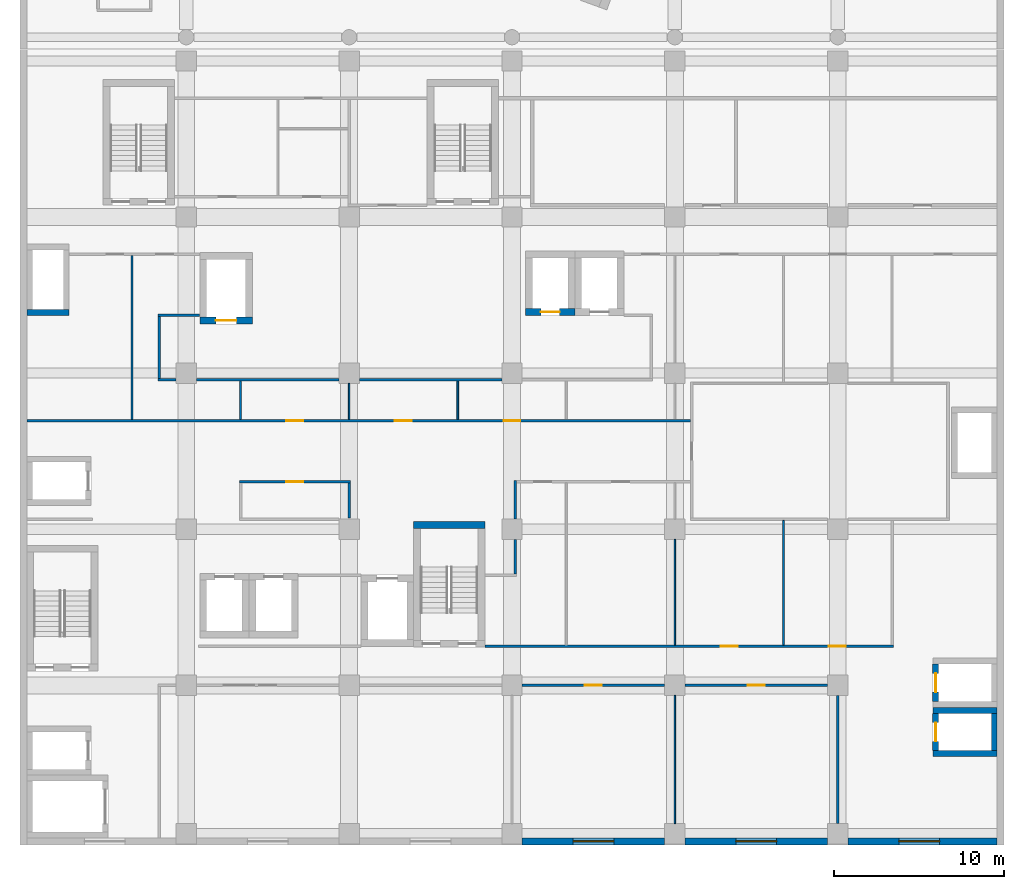
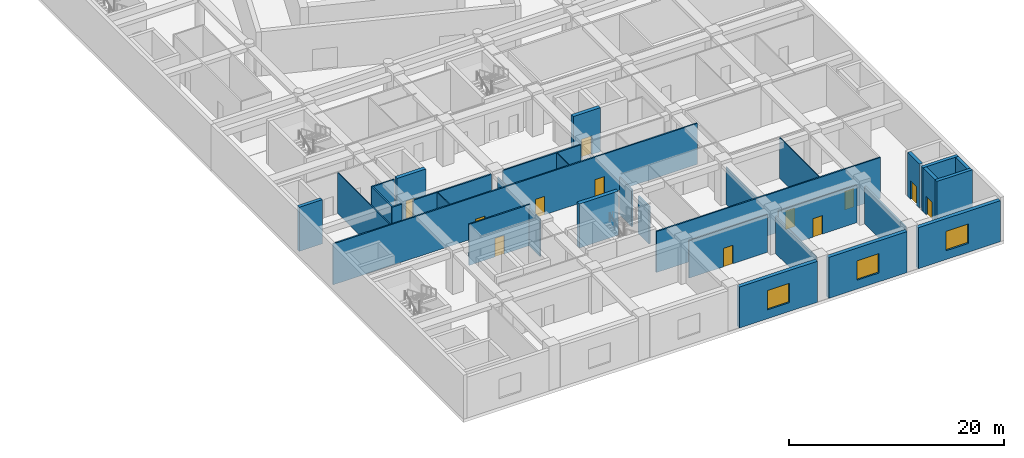
# One storey, part 10 of 31: 33 walls, 12 doors, 3 windows, 15 openings.
"""IFC4 building model written with IfcOpenShell, lengths in metres."""

from ifc_helpers import new_model, si_unit, direction, frame, frame_2d, origin, place, context, subcontext, project, spatial, rectangle, extrude, material, layer, layer_set, layer_usage, type_object, element, fill, save


model = new_model("IFC4")

# Units and contexts
model_context = context("Model", 3, precision=1e-05, world=origin(), true_north=direction((0.0, 1.0)))
body_context = subcontext(model_context, "Body", "Model", "MODEL_VIEW")
ifc_project = project(units=[si_unit("LENGTHUNIT", "METRE"), si_unit("AREAUNIT", "SQUARE_METRE"), si_unit("VOLUMEUNIT", "CUBIC_METRE"), si_unit("PLANEANGLEUNIT", "RADIAN"), si_unit("MASSUNIT", "GRAM", prefix="KILO")], contexts=[model_context])

# Site, building, storey
site_placement = place(None, origin())
site = spatial("IfcSite", under=ifc_project, at=site_placement, CompositionType="ELEMENT")
building_placement = place(site_placement, origin())
building = spatial("IfcBuilding", under=site, at=building_placement, Name="Nzadi Deep Aquarium and Research Tower", CompositionType="ELEMENT")
storey_placement = place(building_placement, frame((0.0, 0.0, 21.699951171875)))
storey = spatial("IfcBuildingStorey", under=building, at=storey_placement, Name="L03", CompositionType="ELEMENT", Elevation=21.699951171875)

# Walls
ifc_material_1 = material(Name="Blockwork masonry", Category="masonry")
ifc_layer_1 = layer(ifc_material_1, 0.10009765625)
ifc_layer_set_1 = layer_set([ifc_layer_1], Name="Blockwork masonry")
wall_type_1 = type_object("IfcWallType", Name="Partition 100 EI 30", PredefinedType="PARTITIONING", material=ifc_layer_set_1)
wall_1_placement = place(storey_placement, frame((6.39990234375, 24.875, 0.0), z_axis=(0.0, 0.0, 1.0), x_axis=(0.0, 1.0, 0.0)))
element("IfcWall", 1, at=wall_1_placement, inside=storey, type_object=wall_type_1, Name="W-Z1-L03-P004", PredefinedType="PARTITIONING", context=body_context, shape_type="SweptSolid", body=[
    extrude(rectangle(XDim=9.64990234375, YDim=0.10009765625, at=frame_2d((4.824951171875, 0.0))), origin(), (0.0, 0.0, 1.0), 4.650146484375),
])
for number, where, z_axis, x_axis, name in (
    (2, (12.800048828125, 24.875, 0.0), (0.0, 0.0, 1.0), (0.0, 1.0, 0.0), "W-Z1-L03-P018"),
    (3, (25.60009765625, 24.875, 0.0), (0.0, 0.0, 1.0), (0.0, 1.0, 0.0), "W-Z1-L03-P028"),
):
    element("IfcWall", number, at=place(storey_placement, frame(where, z_axis=z_axis, x_axis=x_axis)), inside=storey, type_object=wall_type_1, Name=name, PredefinedType="PARTITIONING", context=body_context, shape_type="SweptSolid", body=[
        extrude(rectangle(XDim=2.25, YDim=0.10009765625, at=frame_2d((1.125, 0.0))), origin(), (0.0, 0.0, 1.0), 4.650146484375),
    ])
wall_2_placement = place(storey_placement, frame((44.800048828125, 11.574951171875, 0.0), z_axis=(0.0, 0.0, 1.0), x_axis=(0.0, 1.0, 0.0)))
element("IfcWall", 4, at=wall_2_placement, inside=storey, type_object=wall_type_1, Name="W-Z1-L03-P057", PredefinedType="PARTITIONING", context=body_context, shape_type="SweptSolid", body=[
    extrude(rectangle(XDim=7.35009765625, YDim=0.10009765625, at=frame_2d((3.675048828125, 0.0))), origin(), (0.0, 0.0, 1.0), 4.650146484375),
])
ifc_material_2 = material(Name="Blockwork masonry", Category="masonry")
ifc_layer_2 = layer(ifc_material_2, 0.10009765625)
ifc_layer_set_2 = layer_set([ifc_layer_2], Name="Blockwork masonry")
wall_type_2 = type_object("IfcWallType", Name="Partition 100 EI 30, 4.25 m high", PredefinedType="PARTITIONING", material=ifc_layer_set_2)
wall_3_placement = place(storey_placement, frame((19.199951171875, 24.875, 0.0), z_axis=(0.0, 0.0, 1.0), x_axis=(0.0, 1.0, 0.0)))
element("IfcWall", 5, at=wall_3_placement, inside=storey, type_object=wall_type_2, Name="W-Z1-L03-P025", PredefinedType="PARTITIONING", context=body_context, shape_type="SweptSolid", body=[
    extrude(rectangle(XDim=2.125, YDim=0.10009765625, at=frame_2d((1.0625, 0.0))), origin(), (0.0, 0.0, 1.0), 4.25),
])
wall_4_placement = place(storey_placement, frame((38.39990234375, 1.050048828125, 0.0), z_axis=(0.0, 0.0, 1.0), x_axis=(0.0, 1.0, 0.0)))
element("IfcWall", 6, at=wall_4_placement, inside=storey, type_object=wall_type_2, Name="W-Z1-L03-P046", PredefinedType="PARTITIONING", context=body_context, shape_type="SweptSolid", body=[
    extrude(rectangle(XDim=7.550048828125, YDim=0.10009765625, at=frame_2d((3.77490234375, 0.0))), origin(), (0.0, 0.0, 1.0), 4.25),
])
wall_5_placement = place(storey_placement, frame((38.39990234375, 11.574951171875, 0.0), z_axis=(0.0, 0.0, 1.0), x_axis=(0.0, 1.0, 0.0)))
element("IfcWall", 7, at=wall_5_placement, inside=storey, type_object=wall_type_2, Name="W-Z1-L03-P047", PredefinedType="PARTITIONING", context=body_context, shape_type="SweptSolid", body=[
    extrude(rectangle(XDim=6.22509765625, YDim=0.10009765625, at=frame_2d((3.112548828125, 0.0))), origin(), (0.0, 0.0, 1.0), 4.25),
])

# Wall, openings, doors
ifc_material_3 = material(Name="Blockwork masonry", Category="masonry")
ifc_layer_3 = layer(ifc_material_3, 0.14990234375)
ifc_layer_set_3 = layer_set([ifc_layer_3], Name="Blockwork masonry")
wall_type_3 = type_object("IfcWallType", Name="Partition 150 EI 60", PredefinedType="PARTITIONING", material=ifc_layer_set_3)
wall_6_placement = place(storey_placement, frame((0.2060546875, 24.800048828125, 0.0), z_axis=(0.0, 0.0, 1.0), x_axis=(1.0, 0.0, 0.0)))
wall_6 = element("IfcWall", 8, at=wall_6_placement, inside=storey, type_object=wall_type_3, Name="W-Z1-L03-P002", PredefinedType="PARTITIONING", context=body_context, shape_type="SweptSolid", body=[
    extrude(rectangle(XDim=39.118896484375, YDim=0.14990234375, at=frame_2d((19.5595703125, 0.0))), origin(), (0.0, 0.0, 1.0), 4.650146484375),
])
opening_1_placement = place(wall_6_placement, frame((15.2939453125, 0.0, 0.0)))
opening_1 = element("IfcOpeningElement", 9, at=opening_1_placement, cuts=wall_6, Name="Opening D041008", PredefinedType="OPENING", context=body_context, shape_type="SweptSolid", body=[
    extrude(rectangle(XDim=1.0, YDim=2.10009765625, at=frame_2d((0.5, 1.050048828125))), frame((0.0, 0.0849609375, 0.0), z_axis=(0.0, -1.0, 0.0), x_axis=(1.0, 0.0, 0.0)), (0.0, 0.0, 1.0), 0.169921875),
])
opening_2_placement = place(wall_6_placement, frame((21.694091796875, 0.0, 0.0)))
opening_2 = element("IfcOpeningElement", 10, at=opening_2_placement, cuts=wall_6, Name="Opening D041009", PredefinedType="OPENING", context=body_context, shape_type="SweptSolid", body=[
    extrude(rectangle(XDim=1.0, YDim=2.10009765625, at=frame_2d((0.5, 1.050048828125))), frame((0.0, 0.0849609375, 0.0), z_axis=(0.0, -1.0, 0.0), x_axis=(1.0, 0.0, 0.0)), (0.0, 0.0, 1.0), 0.169921875),
])
opening_3_placement = place(wall_6_placement, frame((28.093994140625, 0.0, 0.0)))
opening_3 = element("IfcOpeningElement", 11, at=opening_3_placement, cuts=wall_6, Name="Opening D041010", PredefinedType="OPENING", context=body_context, shape_type="SweptSolid", body=[
    extrude(rectangle(XDim=1.0, YDim=2.10009765625, at=frame_2d((0.5, 1.050048828125))), frame((0.0, 0.0849609375, 0.0), z_axis=(0.0, -1.0, 0.0), x_axis=(1.0, 0.0, 0.0)), (0.0, 0.0, 1.0), 0.169921875),
])
ifc_material_4 = material(Name="Fire-rated steel door", Category="steel")
ifc_layer_4 = layer(ifc_material_4, 0.050048828125)
ifc_layer_set_4 = layer_set([ifc_layer_4], Name="Fire-rated steel door")
door_type_1 = type_object("IfcDoorType", Name="Door 1000x2100 EI 60 single", OperationType="SINGLE_SWING_LEFT", PredefinedType="DOOR", material=ifc_layer_set_4)
door_1_placement = place(opening_1_placement, origin())
door_1 = element("IfcDoor", 12, at=door_1_placement, inside=storey, type_object=door_type_1, Name="D041008", OperationType="SINGLE_SWING_LEFT", OverallHeight=2.10009765625, OverallWidth=1.0, PredefinedType="DOOR", context=body_context, shape_type="SweptSolid", body=[
    extrude(rectangle(XDim=1.0, YDim=2.10009765625, at=frame_2d((0.5, 1.050048828125))), frame((0.0, 0.02490234375, 0.0), z_axis=(0.0, -1.0, 0.0), x_axis=(1.0, 0.0, 0.0)), (0.0, 0.0, 1.0), 0.050048828125),
])
fill(opening_1, door_1)
door_2_placement = place(opening_2_placement, origin())
door_2 = element("IfcDoor", 13, at=door_2_placement, inside=storey, type_object=door_type_1, Name="D041009", OperationType="SINGLE_SWING_RIGHT", OverallHeight=2.10009765625, OverallWidth=1.0, PredefinedType="DOOR", context=body_context, shape_type="SweptSolid", body=[
    extrude(rectangle(XDim=1.0, YDim=2.10009765625, at=frame_2d((0.5, 1.050048828125))), frame((0.0, 0.02490234375, 0.0), z_axis=(0.0, -1.0, 0.0), x_axis=(1.0, 0.0, 0.0)), (0.0, 0.0, 1.0), 0.050048828125),
])
fill(opening_2, door_2)
door_3_placement = place(opening_3_placement, origin())
door_3 = element("IfcDoor", 14, at=door_3_placement, inside=storey, type_object=door_type_1, Name="D041010", OperationType="SINGLE_SWING_RIGHT", OverallHeight=2.10009765625, OverallWidth=1.0, PredefinedType="DOOR", context=body_context, shape_type="SweptSolid", body=[
    extrude(rectangle(XDim=1.0, YDim=2.10009765625, at=frame_2d((0.5, 1.050048828125))), frame((0.0, 0.02490234375, 0.0), z_axis=(0.0, -1.0, 0.0), x_axis=(1.0, 0.0, 0.0)), (0.0, 0.0, 1.0), 0.050048828125),
])
fill(opening_3, door_3)

# Walls
wall_7_placement = place(storey_placement, frame((7.925048828125, 27.199951171875, 0.0), z_axis=(0.0, 0.0, 1.0), x_axis=(1.0, 0.0, 0.0)))
element("IfcWall", 15, at=wall_7_placement, inside=storey, type_object=wall_type_3, Name="W-Z1-L03-P007", PredefinedType="PARTITIONING", context=body_context, shape_type="SweptSolid", body=[
    extrude(rectangle(XDim=1.074951171875, YDim=0.14990234375, at=frame_2d((0.53759765625, 0.0))), origin(), (0.0, 0.0, 1.0), 4.650146484375),
])
wall_8_placement = place(storey_placement, frame((8.0, 27.27490234375, 0.0), z_axis=(0.0, 0.0, 1.0), x_axis=(0.0, 1.0, 0.0)))
element("IfcWall", 16, at=wall_8_placement, inside=storey, type_object=wall_type_3, Name="W-Z1-L03-P008", PredefinedType="PARTITIONING", context=body_context, shape_type="SweptSolid", body=[
    extrude(rectangle(XDim=3.650146484375, YDim=0.14990234375, at=frame_2d((1.8251953125, 0.0))), origin(), (0.0, 0.0, 1.0), 4.650146484375),
])
wall_9_placement = place(storey_placement, frame((7.925048828125, 31.0, 0.0), z_axis=(0.0, 0.0, 1.0), x_axis=(1.0, 0.0, 0.0)))
element("IfcWall", 17, at=wall_9_placement, inside=storey, type_object=wall_type_3, Name="W-Z1-L03-P009", PredefinedType="PARTITIONING", context=body_context, shape_type="SweptSolid", body=[
    extrude(rectangle(XDim=2.468994140625, YDim=0.14990234375, at=frame_2d((1.234375, 0.0))), origin(), (0.0, 0.0, 1.0), 4.650146484375),
])
wall_10_placement = place(storey_placement, frame((10.199951171875, 27.199951171875, 0.0), z_axis=(0.0, 0.0, 1.0), x_axis=(1.0, 0.0, 0.0)))
element("IfcWall", 18, at=wall_10_placement, inside=storey, type_object=wall_type_3, Name="W-Z1-L03-P013", PredefinedType="PARTITIONING", context=body_context, shape_type="SweptSolid", body=[
    extrude(rectangle(XDim=8.400146484375, YDim=0.14990234375, at=frame_2d((4.2001953125, 0.0))), origin(), (0.0, 0.0, 1.0), 4.650146484375),
])

# Wall, opening, door
wall_11_placement = place(storey_placement, frame((12.72509765625, 21.199951171875, 0.0), z_axis=(0.0, 0.0, 1.0), x_axis=(1.0, 0.0, 0.0)))
wall_11 = element("IfcWall", 19, at=wall_11_placement, inside=storey, type_object=wall_type_3, Name="W-Z1-L03-P017", PredefinedType="PARTITIONING", context=body_context, shape_type="SweptSolid", body=[
    extrude(rectangle(XDim=6.5498046875, YDim=0.14990234375, at=frame_2d((3.27490234375, 0.0))), origin(), (0.0, 0.0, 1.0), 4.650146484375),
])
opening_4_placement = place(wall_11_placement, frame((2.77490234375, 0.0, 0.0)))
opening_4 = element("IfcOpeningElement", 20, at=opening_4_placement, cuts=wall_11, Name="Opening D041001", PredefinedType="OPENING", context=body_context, shape_type="SweptSolid", body=[
    extrude(rectangle(XDim=1.0, YDim=2.10009765625, at=frame_2d((0.5, 1.050048828125))), frame((0.0, 0.0849609375, 0.0), z_axis=(0.0, -1.0, 0.0), x_axis=(1.0, 0.0, 0.0)), (0.0, 0.0, 1.0), 0.169921875),
])
door_4_placement = place(opening_4_placement, origin())
door_4 = element("IfcDoor", 21, at=door_4_placement, inside=storey, type_object=door_type_1, Name="D041001", OperationType="SINGLE_SWING_RIGHT", OverallHeight=2.10009765625, OverallWidth=1.0, PredefinedType="DOOR", context=body_context, shape_type="SweptSolid", body=[
    extrude(rectangle(XDim=1.0, YDim=2.10009765625, at=frame_2d((0.5, 1.050048828125))), frame((0.0, 0.02490234375, 0.0), z_axis=(0.0, -1.0, 0.0), x_axis=(1.0, 0.0, 0.0)), (0.0, 0.0, 1.0), 0.050048828125),
])
fill(opening_4, door_4)

# Wall
wall_12_placement = place(storey_placement, frame((19.800048828125, 27.199951171875, 0.0), z_axis=(0.0, 0.0, 1.0), x_axis=(1.0, 0.0, 0.0)))
element("IfcWall", 22, at=wall_12_placement, inside=storey, type_object=wall_type_3, Name="W-Z1-L03-P027", PredefinedType="PARTITIONING", context=body_context, shape_type="SweptSolid", body=[
    extrude(rectangle(XDim=8.39990234375, YDim=0.14990234375, at=frame_2d((4.199951171875, 0.0))), origin(), (0.0, 0.0, 1.0), 4.650146484375),
])

# Wall, openings, doors
wall_13_placement = place(storey_placement, frame((27.2060546875, 11.5, 0.0), z_axis=(0.0, 0.0, 1.0), x_axis=(1.0, 0.0, 0.0)))
wall_13 = element("IfcWall", 23, at=wall_13_placement, inside=storey, type_object=wall_type_3, Name="W-Z1-L03-P029", PredefinedType="PARTITIONING", context=body_context, shape_type="SweptSolid", body=[
    extrude(rectangle(XDim=24.06884765625, YDim=0.14990234375, at=frame_2d((12.034423828125, 0.0))), origin(), (0.0, 0.0, 1.0), 4.650146484375),
])
opening_5_placement = place(wall_13_placement, frame((13.89404296875, 0.0, 0.0)))
opening_5 = element("IfcOpeningElement", 24, at=opening_5_placement, cuts=wall_13, Name="Opening D041004", PredefinedType="OPENING", context=body_context, shape_type="SweptSolid", body=[
    extrude(rectangle(XDim=1.0, YDim=2.10009765625, at=frame_2d((0.5, 1.050048828125))), frame((0.0, 0.0849609375, 0.0), z_axis=(0.0, -1.0, 0.0), x_axis=(1.0, 0.0, 0.0)), (0.0, 0.0, 1.0), 0.169921875),
])
opening_6_placement = place(wall_13_placement, frame((20.259033203125, 0.0, 0.0)))
opening_6 = element("IfcOpeningElement", 25, at=opening_6_placement, cuts=wall_13, Name="Opening D041005", PredefinedType="OPENING", context=body_context, shape_type="SweptSolid", body=[
    extrude(rectangle(XDim=1.0, YDim=2.10009765625, at=frame_2d((0.5, 1.050048828125))), frame((0.0, 0.0849609375, 0.0), z_axis=(0.0, -1.0, 0.0), x_axis=(1.0, 0.0, 0.0)), (0.0, 0.0, 1.0), 0.169921875),
])
door_5_placement = place(opening_5_placement, origin())
door_5 = element("IfcDoor", 26, at=door_5_placement, inside=storey, type_object=door_type_1, Name="D041004", OperationType="SINGLE_SWING_RIGHT", OverallHeight=2.10009765625, OverallWidth=1.0, PredefinedType="DOOR", context=body_context, shape_type="SweptSolid", body=[
    extrude(rectangle(XDim=1.0, YDim=2.10009765625, at=frame_2d((0.5, 1.050048828125))), frame((0.0, 0.02490234375, 0.0), z_axis=(0.0, -1.0, 0.0), x_axis=(1.0, 0.0, 0.0)), (0.0, 0.0, 1.0), 0.050048828125),
])
fill(opening_5, door_5)
door_6_placement = place(opening_6_placement, origin())
door_6 = element("IfcDoor", 27, at=door_6_placement, inside=storey, type_object=door_type_1, Name="D041005", OperationType="SINGLE_SWING_RIGHT", OverallHeight=2.10009765625, OverallWidth=1.0, PredefinedType="DOOR", context=body_context, shape_type="SweptSolid", body=[
    extrude(rectangle(XDim=1.0, YDim=2.10009765625, at=frame_2d((0.5, 1.050048828125))), frame((0.0, 0.02490234375, 0.0), z_axis=(0.0, -1.0, 0.0), x_axis=(1.0, 0.0, 0.0)), (0.0, 0.0, 1.0), 0.050048828125),
])
fill(opening_6, door_6)

# Walls
ifc_material_5 = material(Name="Blockwork masonry", Category="masonry")
ifc_layer_5 = layer(ifc_material_5, 0.14990234375)
ifc_layer_set_5 = layer_set([ifc_layer_5], Name="Blockwork masonry")
wall_type_4 = type_object("IfcWallType", Name="Partition 150 EI 60, 4.25 m high", PredefinedType="PARTITIONING", material=ifc_layer_set_5)
wall_14_placement = place(storey_placement, frame((19.199951171875, 19.074951171875, 0.0), z_axis=(0.0, 0.0, 1.0), x_axis=(0.0, 1.0, 0.0)))
element("IfcWall", 28, at=wall_14_placement, inside=storey, type_object=wall_type_4, Name="W-Z1-L03-P022", PredefinedType="PARTITIONING", context=body_context, shape_type="SweptSolid", body=[
    extrude(rectangle(XDim=2.050048828125, YDim=0.14990234375, at=frame_2d((1.02490234375, 0.0))), origin(), (0.0, 0.0, 1.0), 4.25),
])
wall_15_placement = place(storey_placement, frame((29.0, 15.77490234375, 0.0), z_axis=(0.0, 0.0, 1.0), x_axis=(0.0, 1.0, 0.0)))
element("IfcWall", 29, at=wall_15_placement, inside=storey, type_object=wall_type_4, Name="W-Z1-L03-P034", PredefinedType="PARTITIONING", context=body_context, shape_type="SweptSolid", body=[
    extrude(rectangle(XDim=2.025146484375, YDim=0.14990234375, at=frame_2d((1.0126953125, 0.0))), origin(), (0.0, 0.0, 1.0), 4.25),
])
wall_16_placement = place(storey_placement, frame((29.0, 19.0, 0.0), z_axis=(0.0, 0.0, 1.0), x_axis=(0.0, 1.0, 0.0)))
element("IfcWall", 30, at=wall_16_placement, inside=storey, type_object=wall_type_4, Name="W-Z1-L03-P035", PredefinedType="PARTITIONING", context=body_context, shape_type="SweptSolid", body=[
    extrude(rectangle(XDim=2.27490234375, YDim=0.14990234375, at=frame_2d((1.137451171875, 0.0))), origin(), (0.0, 0.0, 1.0), 4.25),
])

# Wall, opening, door
wall_17_placement = place(storey_placement, frame((29.39990234375, 9.199951171875, 0.0), z_axis=(0.0, 0.0, 1.0), x_axis=(1.0, 0.0, 0.0)))
wall_17 = element("IfcWall", 31, at=wall_17_placement, inside=storey, type_object=wall_type_4, Name="W-Z1-L03-P037", PredefinedType="PARTITIONING", context=body_context, shape_type="SweptSolid", body=[
    extrude(rectangle(XDim=8.400146484375, YDim=0.14990234375, at=frame_2d((4.2001953125, 0.0))), origin(), (0.0, 0.0, 1.0), 4.25),
])
opening_7_placement = place(wall_17_placement, frame((3.699951171875, 0.0, 0.0)))
opening_7 = element("IfcOpeningElement", 32, at=opening_7_placement, cuts=wall_17, Name="Opening D041016", PredefinedType="OPENING", context=body_context, shape_type="SweptSolid", body=[
    extrude(rectangle(XDim=1.0, YDim=2.10009765625, at=frame_2d((0.5, 1.050048828125))), frame((0.0, 0.0849609375, 0.0), z_axis=(0.0, -1.0, 0.0), x_axis=(1.0, 0.0, 0.0)), (0.0, 0.0, 1.0), 0.169921875),
])
door_7_placement = place(opening_7_placement, origin())
door_7 = element("IfcDoor", 33, at=door_7_placement, inside=storey, type_object=door_type_1, Name="D041016", OperationType="SINGLE_SWING_LEFT", OverallHeight=2.10009765625, OverallWidth=1.0, PredefinedType="DOOR", context=body_context, shape_type="SweptSolid", body=[
    extrude(rectangle(XDim=1.0, YDim=2.10009765625, at=frame_2d((0.5, 1.050048828125))), frame((0.0, 0.02490234375, 0.0), z_axis=(0.0, -1.0, 0.0), x_axis=(1.0, 0.0, 0.0)), (0.0, 0.0, 1.0), 0.050048828125),
])
fill(opening_7, door_7)

wall_18_placement = place(storey_placement, frame((39.0, 9.199951171875, 0.0), z_axis=(0.0, 0.0, 1.0), x_axis=(1.0, 0.0, 0.0)))
wall_18 = element("IfcWall", 34, at=wall_18_placement, inside=storey, type_object=wall_type_4, Name="W-Z1-L03-P051", PredefinedType="PARTITIONING", context=body_context, shape_type="SweptSolid", body=[
    extrude(rectangle(XDim=8.39990234375, YDim=0.14990234375, at=frame_2d((4.199951171875, 0.0))), origin(), (0.0, 0.0, 1.0), 4.25),
])
opening_8_placement = place(wall_18_placement, frame((3.699951171875, 0.0, 0.0)))
opening_8 = element("IfcOpeningElement", 35, at=opening_8_placement, cuts=wall_18, Name="Opening D041017", PredefinedType="OPENING", context=body_context, shape_type="SweptSolid", body=[
    extrude(rectangle(XDim=1.0, YDim=2.10009765625, at=frame_2d((0.5, 1.050048828125))), frame((0.0, 0.0849609375, 0.0), z_axis=(0.0, -1.0, 0.0), x_axis=(1.0, 0.0, 0.0)), (0.0, 0.0, 1.0), 0.169921875),
])
door_8_placement = place(opening_8_placement, origin())
door_8 = element("IfcDoor", 36, at=door_8_placement, inside=storey, type_object=door_type_1, Name="D041017", OperationType="SINGLE_SWING_LEFT", OverallHeight=2.10009765625, OverallWidth=1.0, PredefinedType="DOOR", context=body_context, shape_type="SweptSolid", body=[
    extrude(rectangle(XDim=1.0, YDim=2.10009765625, at=frame_2d((0.5, 1.050048828125))), frame((0.0, 0.02490234375, 0.0), z_axis=(0.0, -1.0, 0.0), x_axis=(1.0, 0.0, 0.0)), (0.0, 0.0, 1.0), 0.050048828125),
])
fill(opening_8, door_8)

# Walls
wall_19_placement = place(storey_placement, frame((48.0, 1.050048828125, 0.0), z_axis=(0.0, 0.0, 1.0), x_axis=(0.0, 1.0, 0.0)))
element("IfcWall", 37, at=wall_19_placement, inside=storey, type_object=wall_type_4, Name="W-Z1-L03-P059", PredefinedType="PARTITIONING", context=body_context, shape_type="SweptSolid", body=[
    extrude(rectangle(XDim=7.550048828125, YDim=0.14990234375, at=frame_2d((3.77490234375, 0.0))), origin(), (0.0, 0.0, 1.0), 4.25),
])
ifc_material_6 = material(Name="Concrete C35/45", Category="concrete")
ifc_layer_6 = layer(ifc_material_6, 0.35009765625)
ifc_layer_set_6 = layer_set([ifc_layer_6], Name="Concrete C35/45")
wall_type_5 = type_object("IfcWallType", Name="RC core wall 350", PredefinedType="SHEAR", material=ifc_layer_set_6)
for number, where, z_axis, x_axis, name in (
    (38, (53.60009765625, 5.175048828125, 0.0), (0.0, 0.0, 1.0), (1.0, 0.0, 0.0), "W-CORE-EL2-L03-S"),
    (39, (53.60009765625, 7.72509765625, 0.0), (0.0, 0.0, 1.0), (1.0, 0.0, 0.0), "W-CORE-EL2-L03-N"),
):
    element("IfcWall", number, at=place(storey_placement, frame(where, z_axis=z_axis, x_axis=x_axis)), inside=storey, type_object=wall_type_5, Name=name, PredefinedType="SHEAR", context=body_context, shape_type="SweptSolid", body=[
        extrude(rectangle(XDim=3.7998046875, YDim=0.35009765625, at=frame_2d((1.89990234375, 0.0))), origin(), (0.0, 0.0, 1.0), 5.0),
    ])

# Wall, opening, door
wall_20_placement = place(storey_placement, frame((53.77490234375, 5.35009765625, 0.0), z_axis=(0.0, 0.0, 1.0), x_axis=(0.0, 1.0, 0.0)))
wall_20 = element("IfcWall", 40, at=wall_20_placement, inside=storey, type_object=wall_type_5, Name="W-CORE-EL2-L03-W", PredefinedType="SHEAR", context=body_context, shape_type="SweptSolid", body=[
    extrude(rectangle(XDim=2.199951171875, YDim=0.35009765625, at=frame_2d((1.10009765625, 0.0))), origin(), (0.0, 0.0, 1.0), 5.0),
])
opening_9_placement = place(wall_20_placement, frame((0.550048828125, 0.0, 0.0)))
opening_9 = element("IfcOpeningElement", 41, at=opening_9_placement, cuts=wall_20, Name="Opening LD-EL2-L03", PredefinedType="OPENING", context=body_context, shape_type="SweptSolid", body=[
    extrude(rectangle(XDim=1.10009765625, YDim=2.10009765625, at=frame_2d((0.550048828125, 1.050048828125))), frame((0.0, 0.18505859375, 0.0), z_axis=(0.0, -1.0, 0.0), x_axis=(1.0, 0.0, 0.0)), (0.0, 0.0, 1.0), 0.3701171875),
])
ifc_material_7 = material(Name="Stainless steel 1.4301", Category="steel")
door_type_2 = type_object("IfcDoorType", Name="LANDING DOOR 1100x2100", OperationType="DOUBLE_DOOR_SLIDING", PredefinedType="DOOR", material=ifc_material_7)
door_9_placement = place(opening_9_placement, origin())
door_9 = element("IfcDoor", 42, at=door_9_placement, inside=storey, type_object=door_type_2, Name="Landing door EL2 L03", OperationType="DOUBLE_DOOR_SLIDING", OverallHeight=2.10009765625, OverallWidth=1.10009765625, PredefinedType="DOOR", context=body_context, shape_type="SweptSolid", body=[
    extrude(rectangle(XDim=1.10009765625, YDim=2.10009765625, at=frame_2d((0.550048828125, 1.050048828125))), frame((0.0, 0.02490234375, 0.0), z_axis=(0.0, -1.0, 0.0), x_axis=(1.0, 0.0, 0.0)), (0.0, 0.0, 1.0), 0.050048828125),
])
fill(opening_9, door_9)

# Wall
wall_21_placement = place(storey_placement, frame((57.22509765625, 5.35009765625, 0.0), z_axis=(0.0, 0.0, 1.0), x_axis=(0.0, 1.0, 0.0)))
element("IfcWall", 43, at=wall_21_placement, inside=storey, type_object=wall_type_5, Name="W-CORE-EL2-L03-E", PredefinedType="SHEAR", context=body_context, shape_type="SweptSolid", body=[
    extrude(rectangle(XDim=2.199951171875, YDim=0.35009765625, at=frame_2d((1.10009765625, 0.0))), origin(), (0.0, 0.0, 1.0), 5.0),
])

# Wall, opening, door
wall_22_placement = place(storey_placement, frame((53.77490234375, 8.25, 0.0), z_axis=(0.0, 0.0, 1.0), x_axis=(0.0, 1.0, 0.0)))
wall_22 = element("IfcWall", 44, at=wall_22_placement, inside=storey, type_object=wall_type_5, Name="W-CORE-PL2-L03-W", PredefinedType="SHEAR", context=body_context, shape_type="SweptSolid", body=[
    extrude(rectangle(XDim=2.199951171875, YDim=0.35009765625, at=frame_2d((1.10009765625, 0.0))), origin(), (0.0, 0.0, 1.0), 5.0),
])
opening_10_placement = place(wall_22_placement, frame((0.550048828125, 0.0, 0.0)))
opening_10 = element("IfcOpeningElement", 45, at=opening_10_placement, cuts=wall_22, Name="Opening LD-PL2-L03", PredefinedType="OPENING", context=body_context, shape_type="SweptSolid", body=[
    extrude(rectangle(XDim=1.10009765625, YDim=2.10009765625, at=frame_2d((0.550048828125, 1.050048828125))), frame((0.0, 0.18505859375, 0.0), z_axis=(0.0, -1.0, 0.0), x_axis=(1.0, 0.0, 0.0)), (0.0, 0.0, 1.0), 0.3701171875),
])
door_10_placement = place(opening_10_placement, origin())
door_10 = element("IfcDoor", 46, at=door_10_placement, inside=storey, type_object=door_type_2, Name="Landing door PL2 L03", OperationType="DOUBLE_DOOR_SLIDING", OverallHeight=2.10009765625, OverallWidth=1.10009765625, PredefinedType="DOOR", context=body_context, shape_type="SweptSolid", body=[
    extrude(rectangle(XDim=1.10009765625, YDim=2.10009765625, at=frame_2d((0.550048828125, 1.050048828125))), frame((0.0, 0.02490234375, 0.0), z_axis=(0.0, -1.0, 0.0), x_axis=(1.0, 0.0, 0.0)), (0.0, 0.0, 1.0), 0.050048828125),
])
fill(opening_10, door_10)

# Walls
wall_23_placement = place(storey_placement, frame((0.199951171875, 31.175048828125, 0.0), z_axis=(0.0, 0.0, 1.0), x_axis=(1.0, 0.0, 0.0)))
element("IfcWall", 47, at=wall_23_placement, inside=storey, type_object=wall_type_5, Name="W-CORE-RS-Z1-W-L03-S", PredefinedType="SHEAR", context=body_context, shape_type="SweptSolid", body=[
    extrude(rectangle(XDim=2.5, YDim=0.35009765625, at=frame_2d((1.25, 0.0))), origin(), (0.0, 0.0, 1.0), 5.0),
])
ifc_material_8 = material(Name="Concrete C35/45", Category="concrete")
ifc_layer_7 = layer(ifc_material_8, 0.39990234375)
ifc_layer_set_7 = layer_set([ifc_layer_7], Name="Concrete C35/45")
wall_type_6 = type_object("IfcWallType", Name="RC core wall 400", PredefinedType="SHEAR", material=ifc_layer_set_7)
wall_24_placement = place(storey_placement, frame((23.0, 18.64990234375, 0.0), z_axis=(0.0, 0.0, 1.0), x_axis=(1.0, 0.0, 0.0)))
element("IfcWall", 48, at=wall_24_placement, inside=storey, type_object=wall_type_6, Name="W-CORE-ST-Z1-SE-L03-N", PredefinedType="SHEAR", context=body_context, shape_type="SweptSolid", body=[
    extrude(rectangle(XDim=4.199951171875, YDim=0.39990234375, at=frame_2d((2.10009765625, 0.0))), origin(), (0.0, 0.0, 1.0), 5.0),
])

# Wall, opening, door
wall_25_placement = place(storey_placement, frame((10.39990234375, 30.699951171875, 0.0), z_axis=(0.0, 0.0, 1.0), x_axis=(1.0, 0.0, 0.0)))
wall_25 = element("IfcWall", 49, at=wall_25_placement, inside=storey, type_object=wall_type_6, Name="W-CORE-FL2-L03-S", PredefinedType="SHEAR", context=body_context, shape_type="SweptSolid", body=[
    extrude(rectangle(XDim=3.10009765625, YDim=0.39990234375, at=frame_2d((1.550048828125, 0.0))), origin(), (0.0, 0.0, 1.0), 5.0),
])
opening_11_placement = place(wall_25_placement, frame((0.949951171875, 0.0, 0.0)))
opening_11 = element("IfcOpeningElement", 50, at=opening_11_placement, cuts=wall_25, Name="Opening LD-FL2-L03", PredefinedType="OPENING", context=body_context, shape_type="SweptSolid", body=[
    extrude(rectangle(XDim=1.199951171875, YDim=2.10009765625, at=frame_2d((0.60009765625, 1.050048828125))), frame((0.0, 0.2099609375, 0.0), z_axis=(0.0, -1.0, 0.0), x_axis=(1.0, 0.0, 0.0)), (0.0, 0.0, 1.0), 0.419921875),
])
ifc_material_9 = material(Name="Stainless steel 1.4301", Category="steel")
door_type_3 = type_object("IfcDoorType", Name="LANDING DOOR 1200x2100", OperationType="DOUBLE_DOOR_SLIDING", PredefinedType="DOOR", material=ifc_material_9)
door_11_placement = place(opening_11_placement, origin())
door_11 = element("IfcDoor", 51, at=door_11_placement, inside=storey, type_object=door_type_3, Name="Landing door FL2 L03", OperationType="DOUBLE_DOOR_SLIDING", OverallHeight=2.10009765625, OverallWidth=1.199951171875, PredefinedType="DOOR", context=body_context, shape_type="SweptSolid", body=[
    extrude(rectangle(XDim=1.199951171875, YDim=2.10009765625, at=frame_2d((0.60009765625, 1.050048828125))), frame((0.0, 0.02490234375, 0.0), z_axis=(0.0, -1.0, 0.0), x_axis=(1.0, 0.0, 0.0)), (0.0, 0.0, 1.0), 0.050048828125),
])
fill(opening_11, door_11)

wall_26_placement = place(storey_placement, frame((29.60009765625, 31.199951171875, 0.0), z_axis=(0.0, 0.0, 1.0), x_axis=(1.0, 0.0, 0.0)))
wall_26 = element("IfcWall", 52, at=wall_26_placement, inside=storey, type_object=wall_type_6, Name="W-CORE-TL3-L03-S", PredefinedType="SHEAR", context=body_context, shape_type="SweptSolid", body=[
    extrude(rectangle(XDim=2.89990234375, YDim=0.39990234375, at=frame_2d((1.449951171875, 0.0))), origin(), (0.0, 0.0, 1.0), 5.0),
])
opening_12_placement = place(wall_26_placement, frame((0.89990234375, 0.0, 0.0)))
opening_12 = element("IfcOpeningElement", 53, at=opening_12_placement, cuts=wall_26, Name="Opening LD-TL3-L03", PredefinedType="OPENING", context=body_context, shape_type="SweptSolid", body=[
    extrude(rectangle(XDim=1.10009765625, YDim=2.10009765625, at=frame_2d((0.550048828125, 1.050048828125))), frame((0.0, 0.2099609375, 0.0), z_axis=(0.0, -1.0, 0.0), x_axis=(1.0, 0.0, 0.0)), (0.0, 0.0, 1.0), 0.419921875),
])
door_12_placement = place(opening_12_placement, origin())
door_12 = element("IfcDoor", 54, at=door_12_placement, inside=storey, type_object=door_type_2, Name="Landing door TL3 L03", OperationType="DOUBLE_DOOR_SLIDING", OverallHeight=2.10009765625, OverallWidth=1.10009765625, PredefinedType="DOOR", context=body_context, shape_type="SweptSolid", body=[
    extrude(rectangle(XDim=1.10009765625, YDim=2.10009765625, at=frame_2d((0.550048828125, 1.050048828125))), frame((0.0, 0.02490234375, 0.0), z_axis=(0.0, -1.0, 0.0), x_axis=(1.0, 0.0, 0.0)), (0.0, 0.0, 1.0), 0.050048828125),
])
fill(opening_12, door_12)

# Wall, opening, window
ifc_material_10 = material(Name="Concrete C35/45", Category="concrete")
ifc_layer_8 = layer(ifc_material_10, 0.25, Category="cladding")
ifc_material_11 = material(Name="Mineral wool insulation")
ifc_layer_9 = layer(ifc_material_11, 0.10009765625, Category="insulation")
ifc_material_12 = material(Name="Concrete block lining", Category="concrete")
ifc_layer_10 = layer(ifc_material_12, 0.050048828125, Category="lining")
ifc_layer_set_8 = layer_set([ifc_layer_8, ifc_layer_9, ifc_layer_10], Name="Concrete C35/45, Mineral wool insulation, Concrete block lining")
ifc_layer_usage_1 = layer_usage(ifc_layer_set_8, "AXIS2", "POSITIVE", -0.199951171875)
wall_type_7 = type_object("IfcWallType", Name="South end wall board-formed concrete 400", PredefinedType="ELEMENTEDWALL", material=ifc_layer_set_8)
wall_27_placement = place(storey_placement, frame((29.39990234375, 0.0, 0.0), z_axis=(0.0, 0.0, 1.0), x_axis=(1.0, 0.0, 0.0)))
wall_27 = element("IfcWall", 55, at=wall_27_placement, inside=storey, type_object=wall_type_7, material=ifc_layer_usage_1, Name="South end wall L03", PredefinedType="ELEMENTEDWALL", context=body_context, shape_type="SweptSolid", body=[
    extrude(rectangle(XDim=8.400146484375, YDim=0.39990234375, at=frame_2d((4.2001953125, 0.0))), origin(), (0.0, 0.0, 1.0), 4.650146484375),
])
opening_13_placement = place(wall_27_placement, frame((3.0, 0.0, 1.0)))
opening_13 = element("IfcOpeningElement", 56, at=opening_13_placement, cuts=wall_27, Name="Opening WN09", PredefinedType="OPENING", context=body_context, shape_type="SweptSolid", body=[
    extrude(rectangle(XDim=2.39990234375, YDim=2.199951171875, at=frame_2d((1.199951171875, 1.10009765625))), frame((0.0, 0.2099609375, 0.0), z_axis=(0.0, -1.0, 0.0), x_axis=(1.0, 0.0, 0.0)), (0.0, 0.0, 1.0), 0.419921875),
])
ifc_material_13 = material(Name="Aluminium framed glazing", Category="aluminium")
window_type = type_object("IfcWindowType", Name="Punched window 2400x2200 sill 1000", PartitioningType="SINGLE_PANEL", PredefinedType="WINDOW", material=ifc_material_13)
window_1_placement = place(opening_13_placement, origin())
window_1 = element("IfcWindow", 57, at=window_1_placement, inside=storey, type_object=window_type, Name="Podium south face window L03", OverallHeight=2.199951171875, OverallWidth=2.39990234375, PartitioningType="SINGLE_PANEL", PredefinedType="WINDOW", context=body_context, shape_type="SweptSolid", body=[
    extrude(rectangle(XDim=2.39990234375, YDim=2.199951171875, at=frame_2d((1.199951171875, 1.10009765625))), frame((0.0, 0.030029296875, 0.0), z_axis=(0.0, -1.0, 0.0), x_axis=(1.0, 0.0, 0.0)), (0.0, 0.0, 1.0), 0.06005859375),
])
fill(opening_13, window_1)

ifc_layer_usage_2 = layer_usage(ifc_layer_set_8, "AXIS2", "POSITIVE", -0.199951171875)
wall_28_placement = place(storey_placement, frame((39.0, 0.0, 0.0), z_axis=(0.0, 0.0, 1.0), x_axis=(1.0, 0.0, 0.0)))
wall_28 = element("IfcWall", 58, at=wall_28_placement, inside=storey, type_object=wall_type_7, material=ifc_layer_usage_2, Name="South end wall L03", PredefinedType="ELEMENTEDWALL", context=body_context, shape_type="SweptSolid", body=[
    extrude(rectangle(XDim=8.39990234375, YDim=0.39990234375, at=frame_2d((4.199951171875, 0.0))), origin(), (0.0, 0.0, 1.0), 4.650146484375),
])
opening_14_placement = place(wall_28_placement, frame((3.0, 0.0, 1.0)))
opening_14 = element("IfcOpeningElement", 59, at=opening_14_placement, cuts=wall_28, Name="Opening WN09", PredefinedType="OPENING", context=body_context, shape_type="SweptSolid", body=[
    extrude(rectangle(XDim=2.39990234375, YDim=2.199951171875, at=frame_2d((1.199951171875, 1.10009765625))), frame((0.0, 0.2099609375, 0.0), z_axis=(0.0, -1.0, 0.0), x_axis=(1.0, 0.0, 0.0)), (0.0, 0.0, 1.0), 0.419921875),
])
window_2_placement = place(opening_14_placement, origin())
window_2 = element("IfcWindow", 60, at=window_2_placement, inside=storey, type_object=window_type, Name="Podium south face window L03", OverallHeight=2.199951171875, OverallWidth=2.39990234375, PartitioningType="SINGLE_PANEL", PredefinedType="WINDOW", context=body_context, shape_type="SweptSolid", body=[
    extrude(rectangle(XDim=2.39990234375, YDim=2.199951171875, at=frame_2d((1.199951171875, 1.10009765625))), frame((0.0, 0.030029296875, 0.0), z_axis=(0.0, -1.0, 0.0), x_axis=(1.0, 0.0, 0.0)), (0.0, 0.0, 1.0), 0.06005859375),
])
fill(opening_14, window_2)

ifc_layer_usage_3 = layer_usage(ifc_layer_set_8, "AXIS2", "POSITIVE", -0.199951171875)
wall_29_placement = place(storey_placement, frame((48.60009765625, 0.0, 0.0), z_axis=(0.0, 0.0, 1.0), x_axis=(1.0, 0.0, 0.0)))
wall_29 = element("IfcWall", 61, at=wall_29_placement, inside=storey, type_object=wall_type_7, material=ifc_layer_usage_3, Name="South end wall L03", PredefinedType="ELEMENTEDWALL", context=body_context, shape_type="SweptSolid", body=[
    extrude(rectangle(XDim=8.7998046875, YDim=0.39990234375, at=frame_2d((4.39990234375, 0.0))), origin(), (0.0, 0.0, 1.0), 4.650146484375),
])
opening_15_placement = place(wall_29_placement, frame((3.0, 0.0, 1.0)))
opening_15 = element("IfcOpeningElement", 62, at=opening_15_placement, cuts=wall_29, Name="Opening WN09", PredefinedType="OPENING", context=body_context, shape_type="SweptSolid", body=[
    extrude(rectangle(XDim=2.39990234375, YDim=2.199951171875, at=frame_2d((1.199951171875, 1.10009765625))), frame((0.0, 0.2099609375, 0.0), z_axis=(0.0, -1.0, 0.0), x_axis=(1.0, 0.0, 0.0)), (0.0, 0.0, 1.0), 0.419921875),
])
window_3_placement = place(opening_15_placement, origin())
window_3 = element("IfcWindow", 63, at=window_3_placement, inside=storey, type_object=window_type, Name="Podium south face window L03", OverallHeight=2.199951171875, OverallWidth=2.39990234375, PartitioningType="SINGLE_PANEL", PredefinedType="WINDOW", context=body_context, shape_type="SweptSolid", body=[
    extrude(rectangle(XDim=2.39990234375, YDim=2.199951171875, at=frame_2d((1.199951171875, 1.10009765625))), frame((0.0, 0.030029296875, 0.0), z_axis=(0.0, -1.0, 0.0), x_axis=(1.0, 0.0, 0.0)), (0.0, 0.0, 1.0), 0.06005859375),
])
fill(opening_15, window_3)

save(model, "model.ifc")
